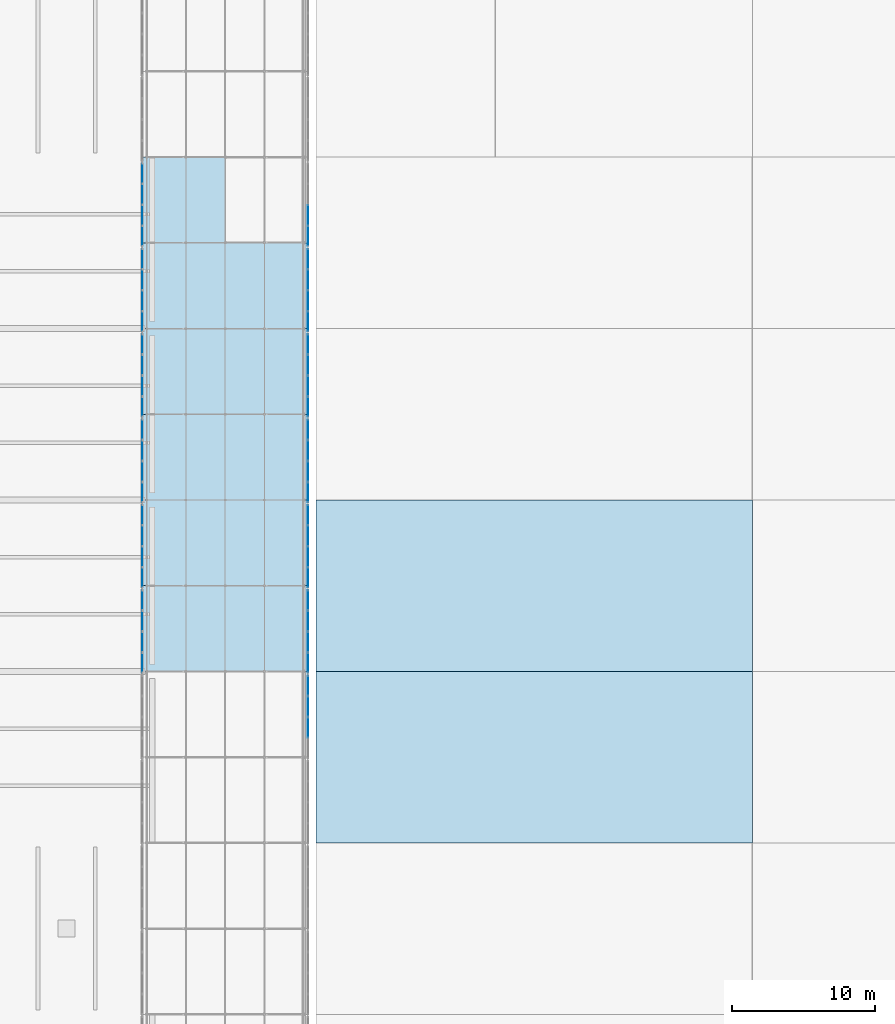
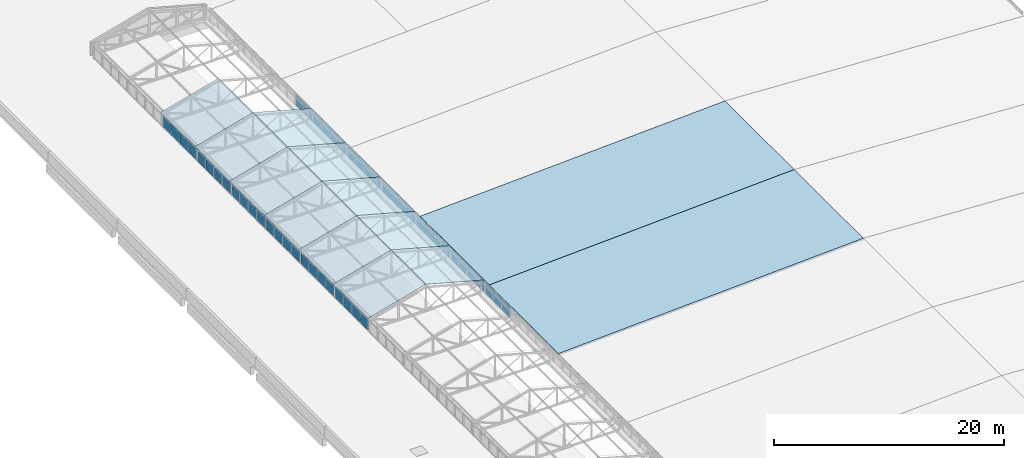
# One storey, part 83 of 94: 49 plates, 13 slabs, 13 elements without a shape of their own.
"""IFC4 building model written with IfcOpenShell, lengths in metres."""

from ifc_helpers import new_model, si_unit, direction, frame, origin, origin_2d, place, context, subcontext, project, spatial, polyline, rectangle, outline, extrude, material, layer, layer_set, type_object, element, aggregate, save


model = new_model("IFC4")

# Units and contexts
model_context = context("Model", 3, precision=1e-05, world=origin(), true_north=direction((0.0, 1.0)))
body_context = subcontext(model_context, "Body", "Model", "MODEL_VIEW")
ifc_project = project(units=[si_unit("LENGTHUNIT", "METRE"), si_unit("AREAUNIT", "SQUARE_METRE"), si_unit("VOLUMEUNIT", "CUBIC_METRE"), si_unit("PLANEANGLEUNIT", "RADIAN"), si_unit("MASSUNIT", "GRAM", prefix="KILO")], contexts=[model_context])

# Site, building, storey
site_placement = place(None, origin())
site = spatial("IfcSite", under=ifc_project, at=site_placement, CompositionType="ELEMENT")
building_placement = place(site_placement, origin())
building = spatial("IfcBuilding", under=site, at=building_placement, Name="Lilac Gate Convention Centre", CompositionType="ELEMENT")
storey_placement = place(building_placement, frame((0.0, 0.0, 21.0)))
storey = spatial("IfcBuildingStorey", under=building, at=storey_placement, Name="L04", CompositionType="ELEMENT", Elevation=21.0)

# Curtain wall, plates
ifc_material_1 = material(Name="Aluminium framed double glazing", Category="aluminium")
ifc_layer_1 = layer(ifc_material_1, 0.199951171875)
ifc_layer_set_1 = layer_set([ifc_layer_1], Name="Aluminium framed double glazing")
curtain_wall_type = type_object("IfcCurtainWallType", Name="Unitised curtain wall 1500", PredefinedType="NOTDEFINED", material=ifc_layer_set_1)
curtain_wall_1_placement = place(storey_placement, origin())
curtain_wall_1 = element("IfcCurtainWall", 1, at=curtain_wall_1_placement, inside=storey, type_object=curtain_wall_type, Name="Lantern clerestory W 25", PredefinedType="NOTDEFINED")
ifc_material_2 = material(Name="Double glazed unit low emissivity")
ifc_layer_2 = layer(ifc_material_2, 0.028076171875)
ifc_layer_set_2 = layer_set([ifc_layer_2], Name="Double glazed unit low emissivity")
plate_type = type_object("IfcPlateType", Name="Curtain wall glass panel 28", PredefinedType="CURTAIN_PANEL", material=ifc_layer_set_2)
plate_1_placement = place(storey_placement, frame((17.300048828125, 174.599365234375, 0.06005859375), z_axis=(0.0, 0.0, 1.0), x_axis=(0.0, 1.0, 0.0)))
plate_1 = element("IfcPlate", 2, at=plate_1_placement, type_object=plate_type, Name="CW panel 1.1", PredefinedType="CURTAIN_PANEL", context=body_context, shape_type="SweptSolid", body=[
    extrude(rectangle(XDim=1.378662109375, YDim=0.028076171875, at=origin_2d()), origin(), (0.0, 0.0, 1.0), 1.152099609375),
])
plate_2_placement = place(storey_placement, frame((17.300048828125, 176.05322265625, 0.06005859375), z_axis=(0.0, 0.0, 1.0), x_axis=(0.0, 1.0, 0.0)))
plate_2 = element("IfcPlate", 3, at=plate_2_placement, type_object=plate_type, Name="CW panel 2.1", PredefinedType="CURTAIN_PANEL", context=body_context, shape_type="SweptSolid", body=[
    extrude(rectangle(XDim=1.40869140625, YDim=0.028076171875, at=origin_2d()), origin(), (0.0, 0.0, 1.0), 1.152099609375),
])
plate_3_placement = place(storey_placement, frame((17.300048828125, 177.52197265625, 0.06005859375), z_axis=(0.0, 0.0, 1.0), x_axis=(0.0, 1.0, 0.0)))
plate_3 = element("IfcPlate", 4, at=plate_3_placement, type_object=plate_type, Name="CW panel 3.1", PredefinedType="CURTAIN_PANEL", context=body_context, shape_type="SweptSolid", body=[
    extrude(rectangle(XDim=1.40869140625, YDim=0.028076171875, at=origin_2d()), origin(), (0.0, 0.0, 1.0), 1.152099609375),
])
plate_4_placement = place(storey_placement, frame((17.300048828125, 178.975830078125, 0.06005859375), z_axis=(0.0, 0.0, 1.0), x_axis=(0.0, 1.0, 0.0)))
plate_4 = element("IfcPlate", 5, at=plate_4_placement, type_object=plate_type, Name="CW panel 4.1", PredefinedType="CURTAIN_PANEL", context=body_context, shape_type="SweptSolid", body=[
    extrude(rectangle(XDim=1.378662109375, YDim=0.028076171875, at=origin_2d()), origin(), (0.0, 0.0, 1.0), 1.152099609375),
])
aggregate(curtain_wall_1, [plate_1, plate_2, plate_3, plate_4])

curtain_wall_2_placement = place(storey_placement, origin())
curtain_wall_2 = element("IfcCurtainWall", 6, at=curtain_wall_2_placement, inside=storey, type_object=curtain_wall_type, Name="Lantern clerestory W 26", PredefinedType="NOTDEFINED")
plate_5_placement = place(storey_placement, frame((17.300048828125, 180.57421875, 0.06005859375), z_axis=(0.0, 0.0, 1.0), x_axis=(0.0, 1.0, 0.0)))
plate_5 = element("IfcPlate", 7, at=plate_5_placement, type_object=plate_type, Name="CW panel 1.1", PredefinedType="CURTAIN_PANEL", context=body_context, shape_type="SweptSolid", body=[
    extrude(rectangle(XDim=1.378662109375, YDim=0.028076171875, at=origin_2d()), origin(), (0.0, 0.0, 1.0), 1.152099609375),
])
plate_6_placement = place(storey_placement, frame((17.300048828125, 182.028076171875, 0.06005859375), z_axis=(0.0, 0.0, 1.0), x_axis=(0.0, 1.0, 0.0)))
plate_6 = element("IfcPlate", 8, at=plate_6_placement, type_object=plate_type, Name="CW panel 2.1", PredefinedType="CURTAIN_PANEL", context=body_context, shape_type="SweptSolid", body=[
    extrude(rectangle(XDim=1.40869140625, YDim=0.028076171875, at=origin_2d()), origin(), (0.0, 0.0, 1.0), 1.152099609375),
])
plate_7_placement = place(storey_placement, frame((17.300048828125, 183.496826171875, 0.06005859375), z_axis=(0.0, 0.0, 1.0), x_axis=(0.0, 1.0, 0.0)))
plate_7 = element("IfcPlate", 9, at=plate_7_placement, type_object=plate_type, Name="CW panel 3.1", PredefinedType="CURTAIN_PANEL", context=body_context, shape_type="SweptSolid", body=[
    extrude(rectangle(XDim=1.40869140625, YDim=0.028076171875, at=origin_2d()), origin(), (0.0, 0.0, 1.0), 1.152099609375),
])
plate_8_placement = place(storey_placement, frame((17.300048828125, 184.95068359375, 0.06005859375), z_axis=(0.0, 0.0, 1.0), x_axis=(0.0, 1.0, 0.0)))
plate_8 = element("IfcPlate", 10, at=plate_8_placement, type_object=plate_type, Name="CW panel 4.1", PredefinedType="CURTAIN_PANEL", context=body_context, shape_type="SweptSolid", body=[
    extrude(rectangle(XDim=1.378662109375, YDim=0.028076171875, at=origin_2d()), origin(), (0.0, 0.0, 1.0), 1.152099609375),
])
aggregate(curtain_wall_2, [plate_5, plate_6, plate_7, plate_8])

curtain_wall_3_placement = place(storey_placement, origin())
curtain_wall_3 = element("IfcCurtainWall", 11, at=curtain_wall_3_placement, inside=storey, type_object=curtain_wall_type, Name="Lantern clerestory W 27", PredefinedType="NOTDEFINED")
plate_9_placement = place(storey_placement, frame((17.300048828125, 186.54931640625, 0.06005859375), z_axis=(0.0, 0.0, 1.0), x_axis=(0.0, 1.0, 0.0)))
plate_9 = element("IfcPlate", 12, at=plate_9_placement, type_object=plate_type, Name="CW panel 1.1", PredefinedType="CURTAIN_PANEL", context=body_context, shape_type="SweptSolid", body=[
    extrude(rectangle(XDim=1.378662109375, YDim=0.028076171875, at=origin_2d()), origin(), (0.0, 0.0, 1.0), 1.152099609375),
])
plate_10_placement = place(storey_placement, frame((17.300048828125, 188.003173828125, 0.06005859375), z_axis=(0.0, 0.0, 1.0), x_axis=(0.0, 1.0, 0.0)))
plate_10 = element("IfcPlate", 13, at=plate_10_placement, type_object=plate_type, Name="CW panel 2.1", PredefinedType="CURTAIN_PANEL", context=body_context, shape_type="SweptSolid", body=[
    extrude(rectangle(XDim=1.40869140625, YDim=0.028076171875, at=origin_2d()), origin(), (0.0, 0.0, 1.0), 1.152099609375),
])
plate_11_placement = place(storey_placement, frame((17.300048828125, 189.471923828125, 0.06005859375), z_axis=(0.0, 0.0, 1.0), x_axis=(0.0, 1.0, 0.0)))
plate_11 = element("IfcPlate", 14, at=plate_11_placement, type_object=plate_type, Name="CW panel 3.1", PredefinedType="CURTAIN_PANEL", context=body_context, shape_type="SweptSolid", body=[
    extrude(rectangle(XDim=1.40869140625, YDim=0.028076171875, at=origin_2d()), origin(), (0.0, 0.0, 1.0), 1.152099609375),
])
plate_12_placement = place(storey_placement, frame((17.300048828125, 190.92578125, 0.06005859375), z_axis=(0.0, 0.0, 1.0), x_axis=(0.0, 1.0, 0.0)))
plate_12 = element("IfcPlate", 15, at=plate_12_placement, type_object=plate_type, Name="CW panel 4.1", PredefinedType="CURTAIN_PANEL", context=body_context, shape_type="SweptSolid", body=[
    extrude(rectangle(XDim=1.378662109375, YDim=0.028076171875, at=origin_2d()), origin(), (0.0, 0.0, 1.0), 1.152099609375),
])
aggregate(curtain_wall_3, [plate_9, plate_10, plate_11, plate_12])

curtain_wall_4_placement = place(storey_placement, origin())
curtain_wall_4 = element("IfcCurtainWall", 16, at=curtain_wall_4_placement, inside=storey, type_object=curtain_wall_type, Name="Lantern clerestory W 28", PredefinedType="NOTDEFINED")
plate_13_placement = place(storey_placement, frame((17.300048828125, 192.524169921875, 0.06005859375), z_axis=(0.0, 0.0, 1.0), x_axis=(0.0, 1.0, 0.0)))
plate_13 = element("IfcPlate", 17, at=plate_13_placement, type_object=plate_type, Name="CW panel 1.1", PredefinedType="CURTAIN_PANEL", context=body_context, shape_type="SweptSolid", body=[
    extrude(rectangle(XDim=1.378662109375, YDim=0.028076171875, at=origin_2d()), origin(), (0.0, 0.0, 1.0), 1.152099609375),
])
plate_14_placement = place(storey_placement, frame((17.300048828125, 193.97802734375, 0.06005859375), z_axis=(0.0, 0.0, 1.0), x_axis=(0.0, 1.0, 0.0)))
plate_14 = element("IfcPlate", 18, at=plate_14_placement, type_object=plate_type, Name="CW panel 2.1", PredefinedType="CURTAIN_PANEL", context=body_context, shape_type="SweptSolid", body=[
    extrude(rectangle(XDim=1.40869140625, YDim=0.028076171875, at=origin_2d()), origin(), (0.0, 0.0, 1.0), 1.152099609375),
])
plate_15_placement = place(storey_placement, frame((17.300048828125, 195.44677734375, 0.06005859375), z_axis=(0.0, 0.0, 1.0), x_axis=(0.0, 1.0, 0.0)))
plate_15 = element("IfcPlate", 19, at=plate_15_placement, type_object=plate_type, Name="CW panel 3.1", PredefinedType="CURTAIN_PANEL", context=body_context, shape_type="SweptSolid", body=[
    extrude(rectangle(XDim=1.40869140625, YDim=0.028076171875, at=origin_2d()), origin(), (0.0, 0.0, 1.0), 1.152099609375),
])
plate_16_placement = place(storey_placement, frame((17.300048828125, 196.900634765625, 0.06005859375), z_axis=(0.0, 0.0, 1.0), x_axis=(0.0, 1.0, 0.0)))
plate_16 = element("IfcPlate", 20, at=plate_16_placement, type_object=plate_type, Name="CW panel 4.1", PredefinedType="CURTAIN_PANEL", context=body_context, shape_type="SweptSolid", body=[
    extrude(rectangle(XDim=1.378662109375, YDim=0.028076171875, at=origin_2d()), origin(), (0.0, 0.0, 1.0), 1.152099609375),
])
aggregate(curtain_wall_4, [plate_13, plate_14, plate_15, plate_16])

curtain_wall_5_placement = place(storey_placement, origin())
curtain_wall_5 = element("IfcCurtainWall", 21, at=curtain_wall_5_placement, inside=storey, type_object=curtain_wall_type, Name="Lantern clerestory W 29", PredefinedType="NOTDEFINED")
plate_17_placement = place(storey_placement, frame((17.300048828125, 198.499267578125, 0.06005859375), z_axis=(0.0, 0.0, 1.0), x_axis=(0.0, 1.0, 0.0)))
plate_17 = element("IfcPlate", 22, at=plate_17_placement, type_object=plate_type, Name="CW panel 1.1", PredefinedType="CURTAIN_PANEL", context=body_context, shape_type="SweptSolid", body=[
    extrude(rectangle(XDim=1.378662109375, YDim=0.028076171875, at=origin_2d()), origin(), (0.0, 0.0, 1.0), 1.152099609375),
])
plate_18_placement = place(storey_placement, frame((17.300048828125, 199.953125, 0.06005859375), z_axis=(0.0, 0.0, 1.0), x_axis=(0.0, 1.0, 0.0)))
plate_18 = element("IfcPlate", 23, at=plate_18_placement, type_object=plate_type, Name="CW panel 2.1", PredefinedType="CURTAIN_PANEL", context=body_context, shape_type="SweptSolid", body=[
    extrude(rectangle(XDim=1.40869140625, YDim=0.028076171875, at=origin_2d()), origin(), (0.0, 0.0, 1.0), 1.152099609375),
])
plate_19_placement = place(storey_placement, frame((17.300048828125, 201.421875, 0.06005859375), z_axis=(0.0, 0.0, 1.0), x_axis=(0.0, 1.0, 0.0)))
plate_19 = element("IfcPlate", 24, at=plate_19_placement, type_object=plate_type, Name="CW panel 3.1", PredefinedType="CURTAIN_PANEL", context=body_context, shape_type="SweptSolid", body=[
    extrude(rectangle(XDim=1.40869140625, YDim=0.028076171875, at=origin_2d()), origin(), (0.0, 0.0, 1.0), 1.152099609375),
])
plate_20_placement = place(storey_placement, frame((17.300048828125, 202.875732421875, 0.06005859375), z_axis=(0.0, 0.0, 1.0), x_axis=(0.0, 1.0, 0.0)))
plate_20 = element("IfcPlate", 25, at=plate_20_placement, type_object=plate_type, Name="CW panel 4.1", PredefinedType="CURTAIN_PANEL", context=body_context, shape_type="SweptSolid", body=[
    extrude(rectangle(XDim=1.378662109375, YDim=0.028076171875, at=origin_2d()), origin(), (0.0, 0.0, 1.0), 1.152099609375),
])
aggregate(curtain_wall_5, [plate_17, plate_18, plate_19, plate_20])

curtain_wall_6_placement = place(storey_placement, origin())
curtain_wall_6 = element("IfcCurtainWall", 26, at=curtain_wall_6_placement, inside=storey, type_object=curtain_wall_type, Name="Lantern clerestory W 30", PredefinedType="NOTDEFINED")
plate_21_placement = place(storey_placement, frame((17.300048828125, 204.474365234375, 0.06005859375), z_axis=(0.0, 0.0, 1.0), x_axis=(0.0, 1.0, 0.0)))
plate_21 = element("IfcPlate", 27, at=plate_21_placement, type_object=plate_type, Name="CW panel 1.1", PredefinedType="CURTAIN_PANEL", context=body_context, shape_type="SweptSolid", body=[
    extrude(rectangle(XDim=1.378662109375, YDim=0.028076171875, at=origin_2d()), origin(), (0.0, 0.0, 1.0), 1.152099609375),
])
plate_22_placement = place(storey_placement, frame((17.300048828125, 205.92822265625, 0.06005859375), z_axis=(0.0, 0.0, 1.0), x_axis=(0.0, 1.0, 0.0)))
plate_22 = element("IfcPlate", 28, at=plate_22_placement, type_object=plate_type, Name="CW panel 2.1", PredefinedType="CURTAIN_PANEL", context=body_context, shape_type="SweptSolid", body=[
    extrude(rectangle(XDim=1.40869140625, YDim=0.028076171875, at=origin_2d()), origin(), (0.0, 0.0, 1.0), 1.152099609375),
])
plate_23_placement = place(storey_placement, frame((17.300048828125, 207.39697265625, 0.06005859375), z_axis=(0.0, 0.0, 1.0), x_axis=(0.0, 1.0, 0.0)))
plate_23 = element("IfcPlate", 29, at=plate_23_placement, type_object=plate_type, Name="CW panel 3.1", PredefinedType="CURTAIN_PANEL", context=body_context, shape_type="SweptSolid", body=[
    extrude(rectangle(XDim=1.40869140625, YDim=0.028076171875, at=origin_2d()), origin(), (0.0, 0.0, 1.0), 1.152099609375),
])
plate_24_placement = place(storey_placement, frame((17.300048828125, 208.850830078125, 0.06005859375), z_axis=(0.0, 0.0, 1.0), x_axis=(0.0, 1.0, 0.0)))
plate_24 = element("IfcPlate", 30, at=plate_24_placement, type_object=plate_type, Name="CW panel 4.1", PredefinedType="CURTAIN_PANEL", context=body_context, shape_type="SweptSolid", body=[
    extrude(rectangle(XDim=1.378662109375, YDim=0.028076171875, at=origin_2d()), origin(), (0.0, 0.0, 1.0), 1.152099609375),
])
aggregate(curtain_wall_6, [plate_21, plate_22, plate_23, plate_24])

curtain_wall_7_placement = place(storey_placement, origin())
curtain_wall_7 = element("IfcCurtainWall", 31, at=curtain_wall_7_placement, inside=storey, type_object=curtain_wall_type, Name="Lantern clerestory E 24", PredefinedType="NOTDEFINED")
plate_25_placement = place(storey_placement, frame((28.89990234375, 170.078125, 0.06005859375), z_axis=(0.0, 0.0, 1.0), x_axis=(0.0, 1.0, 0.0)))
plate_25 = element("IfcPlate", 32, at=plate_25_placement, type_object=plate_type, Name="CW panel 2.1", PredefinedType="CURTAIN_PANEL", context=body_context, shape_type="SweptSolid", body=[
    extrude(rectangle(XDim=1.40869140625, YDim=0.028076171875, at=origin_2d()), origin(), (0.0, 0.0, 1.0), 1.152099609375),
])
plate_26_placement = place(storey_placement, frame((28.89990234375, 171.546875, 0.06005859375), z_axis=(0.0, 0.0, 1.0), x_axis=(0.0, 1.0, 0.0)))
plate_26 = element("IfcPlate", 33, at=plate_26_placement, type_object=plate_type, Name="CW panel 3.1", PredefinedType="CURTAIN_PANEL", context=body_context, shape_type="SweptSolid", body=[
    extrude(rectangle(XDim=1.40869140625, YDim=0.028076171875, at=origin_2d()), origin(), (0.0, 0.0, 1.0), 1.152099609375),
])
plate_27_placement = place(storey_placement, frame((28.89990234375, 173.000732421875, 0.06005859375), z_axis=(0.0, 0.0, 1.0), x_axis=(0.0, 1.0, 0.0)))
plate_27 = element("IfcPlate", 34, at=plate_27_placement, type_object=plate_type, Name="CW panel 4.1", PredefinedType="CURTAIN_PANEL", context=body_context, shape_type="SweptSolid", body=[
    extrude(rectangle(XDim=1.378662109375, YDim=0.028076171875, at=origin_2d()), origin(), (0.0, 0.0, 1.0), 1.152099609375),
])
aggregate(curtain_wall_7, [plate_25, plate_26, plate_27])

curtain_wall_8_placement = place(storey_placement, origin())
curtain_wall_8 = element("IfcCurtainWall", 35, at=curtain_wall_8_placement, inside=storey, type_object=curtain_wall_type, Name="Lantern clerestory E 25", PredefinedType="NOTDEFINED")
plate_28_placement = place(storey_placement, frame((28.89990234375, 174.599365234375, 0.06005859375), z_axis=(0.0, 0.0, 1.0), x_axis=(0.0, 1.0, 0.0)))
plate_28 = element("IfcPlate", 36, at=plate_28_placement, type_object=plate_type, Name="CW panel 1.1", PredefinedType="CURTAIN_PANEL", context=body_context, shape_type="SweptSolid", body=[
    extrude(rectangle(XDim=1.378662109375, YDim=0.028076171875, at=origin_2d()), origin(), (0.0, 0.0, 1.0), 1.152099609375),
])
plate_29_placement = place(storey_placement, frame((28.89990234375, 176.05322265625, 0.06005859375), z_axis=(0.0, 0.0, 1.0), x_axis=(0.0, 1.0, 0.0)))
plate_29 = element("IfcPlate", 37, at=plate_29_placement, type_object=plate_type, Name="CW panel 2.1", PredefinedType="CURTAIN_PANEL", context=body_context, shape_type="SweptSolid", body=[
    extrude(rectangle(XDim=1.40869140625, YDim=0.028076171875, at=origin_2d()), origin(), (0.0, 0.0, 1.0), 1.152099609375),
])
plate_30_placement = place(storey_placement, frame((28.89990234375, 177.52197265625, 0.06005859375), z_axis=(0.0, 0.0, 1.0), x_axis=(0.0, 1.0, 0.0)))
plate_30 = element("IfcPlate", 38, at=plate_30_placement, type_object=plate_type, Name="CW panel 3.1", PredefinedType="CURTAIN_PANEL", context=body_context, shape_type="SweptSolid", body=[
    extrude(rectangle(XDim=1.40869140625, YDim=0.028076171875, at=origin_2d()), origin(), (0.0, 0.0, 1.0), 1.152099609375),
])
plate_31_placement = place(storey_placement, frame((28.89990234375, 178.975830078125, 0.06005859375), z_axis=(0.0, 0.0, 1.0), x_axis=(0.0, 1.0, 0.0)))
plate_31 = element("IfcPlate", 39, at=plate_31_placement, type_object=plate_type, Name="CW panel 4.1", PredefinedType="CURTAIN_PANEL", context=body_context, shape_type="SweptSolid", body=[
    extrude(rectangle(XDim=1.378662109375, YDim=0.028076171875, at=origin_2d()), origin(), (0.0, 0.0, 1.0), 1.152099609375),
])
aggregate(curtain_wall_8, [plate_28, plate_29, plate_30, plate_31])

curtain_wall_9_placement = place(storey_placement, origin())
curtain_wall_9 = element("IfcCurtainWall", 40, at=curtain_wall_9_placement, inside=storey, type_object=curtain_wall_type, Name="Lantern clerestory E 26", PredefinedType="NOTDEFINED")
plate_32_placement = place(storey_placement, frame((28.89990234375, 180.57421875, 0.06005859375), z_axis=(0.0, 0.0, 1.0), x_axis=(0.0, 1.0, 0.0)))
plate_32 = element("IfcPlate", 41, at=plate_32_placement, type_object=plate_type, Name="CW panel 1.1", PredefinedType="CURTAIN_PANEL", context=body_context, shape_type="SweptSolid", body=[
    extrude(rectangle(XDim=1.378662109375, YDim=0.028076171875, at=origin_2d()), origin(), (0.0, 0.0, 1.0), 1.152099609375),
])
plate_33_placement = place(storey_placement, frame((28.89990234375, 182.028076171875, 0.06005859375), z_axis=(0.0, 0.0, 1.0), x_axis=(0.0, 1.0, 0.0)))
plate_33 = element("IfcPlate", 42, at=plate_33_placement, type_object=plate_type, Name="CW panel 2.1", PredefinedType="CURTAIN_PANEL", context=body_context, shape_type="SweptSolid", body=[
    extrude(rectangle(XDim=1.40869140625, YDim=0.028076171875, at=origin_2d()), origin(), (0.0, 0.0, 1.0), 1.152099609375),
])
plate_34_placement = place(storey_placement, frame((28.89990234375, 183.496826171875, 0.06005859375), z_axis=(0.0, 0.0, 1.0), x_axis=(0.0, 1.0, 0.0)))
plate_34 = element("IfcPlate", 43, at=plate_34_placement, type_object=plate_type, Name="CW panel 3.1", PredefinedType="CURTAIN_PANEL", context=body_context, shape_type="SweptSolid", body=[
    extrude(rectangle(XDim=1.40869140625, YDim=0.028076171875, at=origin_2d()), origin(), (0.0, 0.0, 1.0), 1.152099609375),
])
plate_35_placement = place(storey_placement, frame((28.89990234375, 184.95068359375, 0.06005859375), z_axis=(0.0, 0.0, 1.0), x_axis=(0.0, 1.0, 0.0)))
plate_35 = element("IfcPlate", 44, at=plate_35_placement, type_object=plate_type, Name="CW panel 4.1", PredefinedType="CURTAIN_PANEL", context=body_context, shape_type="SweptSolid", body=[
    extrude(rectangle(XDim=1.378662109375, YDim=0.028076171875, at=origin_2d()), origin(), (0.0, 0.0, 1.0), 1.152099609375),
])
aggregate(curtain_wall_9, [plate_32, plate_33, plate_34, plate_35])

curtain_wall_10_placement = place(storey_placement, origin())
curtain_wall_10 = element("IfcCurtainWall", 45, at=curtain_wall_10_placement, inside=storey, type_object=curtain_wall_type, Name="Lantern clerestory E 27", PredefinedType="NOTDEFINED")
plate_36_placement = place(storey_placement, frame((28.89990234375, 186.54931640625, 0.06005859375), z_axis=(0.0, 0.0, 1.0), x_axis=(0.0, 1.0, 0.0)))
plate_36 = element("IfcPlate", 46, at=plate_36_placement, type_object=plate_type, Name="CW panel 1.1", PredefinedType="CURTAIN_PANEL", context=body_context, shape_type="SweptSolid", body=[
    extrude(rectangle(XDim=1.378662109375, YDim=0.028076171875, at=origin_2d()), origin(), (0.0, 0.0, 1.0), 1.152099609375),
])
plate_37_placement = place(storey_placement, frame((28.89990234375, 188.003173828125, 0.06005859375), z_axis=(0.0, 0.0, 1.0), x_axis=(0.0, 1.0, 0.0)))
plate_37 = element("IfcPlate", 47, at=plate_37_placement, type_object=plate_type, Name="CW panel 2.1", PredefinedType="CURTAIN_PANEL", context=body_context, shape_type="SweptSolid", body=[
    extrude(rectangle(XDim=1.40869140625, YDim=0.028076171875, at=origin_2d()), origin(), (0.0, 0.0, 1.0), 1.152099609375),
])
plate_38_placement = place(storey_placement, frame((28.89990234375, 189.471923828125, 0.06005859375), z_axis=(0.0, 0.0, 1.0), x_axis=(0.0, 1.0, 0.0)))
plate_38 = element("IfcPlate", 48, at=plate_38_placement, type_object=plate_type, Name="CW panel 3.1", PredefinedType="CURTAIN_PANEL", context=body_context, shape_type="SweptSolid", body=[
    extrude(rectangle(XDim=1.40869140625, YDim=0.028076171875, at=origin_2d()), origin(), (0.0, 0.0, 1.0), 1.152099609375),
])
plate_39_placement = place(storey_placement, frame((28.89990234375, 190.92578125, 0.06005859375), z_axis=(0.0, 0.0, 1.0), x_axis=(0.0, 1.0, 0.0)))
plate_39 = element("IfcPlate", 49, at=plate_39_placement, type_object=plate_type, Name="CW panel 4.1", PredefinedType="CURTAIN_PANEL", context=body_context, shape_type="SweptSolid", body=[
    extrude(rectangle(XDim=1.378662109375, YDim=0.028076171875, at=origin_2d()), origin(), (0.0, 0.0, 1.0), 1.152099609375),
])
aggregate(curtain_wall_10, [plate_36, plate_37, plate_38, plate_39])

curtain_wall_11_placement = place(storey_placement, origin())
curtain_wall_11 = element("IfcCurtainWall", 50, at=curtain_wall_11_placement, inside=storey, type_object=curtain_wall_type, Name="Lantern clerestory E 28", PredefinedType="NOTDEFINED")
plate_40_placement = place(storey_placement, frame((28.89990234375, 192.524169921875, 0.06005859375), z_axis=(0.0, 0.0, 1.0), x_axis=(0.0, 1.0, 0.0)))
plate_40 = element("IfcPlate", 51, at=plate_40_placement, type_object=plate_type, Name="CW panel 1.1", PredefinedType="CURTAIN_PANEL", context=body_context, shape_type="SweptSolid", body=[
    extrude(rectangle(XDim=1.378662109375, YDim=0.028076171875, at=origin_2d()), origin(), (0.0, 0.0, 1.0), 1.152099609375),
])
plate_41_placement = place(storey_placement, frame((28.89990234375, 193.97802734375, 0.06005859375), z_axis=(0.0, 0.0, 1.0), x_axis=(0.0, 1.0, 0.0)))
plate_41 = element("IfcPlate", 52, at=plate_41_placement, type_object=plate_type, Name="CW panel 2.1", PredefinedType="CURTAIN_PANEL", context=body_context, shape_type="SweptSolid", body=[
    extrude(rectangle(XDim=1.40869140625, YDim=0.028076171875, at=origin_2d()), origin(), (0.0, 0.0, 1.0), 1.152099609375),
])
plate_42_placement = place(storey_placement, frame((28.89990234375, 195.44677734375, 0.06005859375), z_axis=(0.0, 0.0, 1.0), x_axis=(0.0, 1.0, 0.0)))
plate_42 = element("IfcPlate", 53, at=plate_42_placement, type_object=plate_type, Name="CW panel 3.1", PredefinedType="CURTAIN_PANEL", context=body_context, shape_type="SweptSolid", body=[
    extrude(rectangle(XDim=1.40869140625, YDim=0.028076171875, at=origin_2d()), origin(), (0.0, 0.0, 1.0), 1.152099609375),
])
plate_43_placement = place(storey_placement, frame((28.89990234375, 196.900634765625, 0.06005859375), z_axis=(0.0, 0.0, 1.0), x_axis=(0.0, 1.0, 0.0)))
plate_43 = element("IfcPlate", 54, at=plate_43_placement, type_object=plate_type, Name="CW panel 4.1", PredefinedType="CURTAIN_PANEL", context=body_context, shape_type="SweptSolid", body=[
    extrude(rectangle(XDim=1.378662109375, YDim=0.028076171875, at=origin_2d()), origin(), (0.0, 0.0, 1.0), 1.152099609375),
])
aggregate(curtain_wall_11, [plate_40, plate_41, plate_42, plate_43])

curtain_wall_12_placement = place(storey_placement, origin())
curtain_wall_12 = element("IfcCurtainWall", 55, at=curtain_wall_12_placement, inside=storey, type_object=curtain_wall_type, Name="Lantern clerestory E 29", PredefinedType="NOTDEFINED")
plate_44_placement = place(storey_placement, frame((28.89990234375, 198.499267578125, 0.06005859375), z_axis=(0.0, 0.0, 1.0), x_axis=(0.0, 1.0, 0.0)))
plate_44 = element("IfcPlate", 56, at=plate_44_placement, type_object=plate_type, Name="CW panel 1.1", PredefinedType="CURTAIN_PANEL", context=body_context, shape_type="SweptSolid", body=[
    extrude(rectangle(XDim=1.378662109375, YDim=0.028076171875, at=origin_2d()), origin(), (0.0, 0.0, 1.0), 1.152099609375),
])
plate_45_placement = place(storey_placement, frame((28.89990234375, 199.953125, 0.06005859375), z_axis=(0.0, 0.0, 1.0), x_axis=(0.0, 1.0, 0.0)))
plate_45 = element("IfcPlate", 57, at=plate_45_placement, type_object=plate_type, Name="CW panel 2.1", PredefinedType="CURTAIN_PANEL", context=body_context, shape_type="SweptSolid", body=[
    extrude(rectangle(XDim=1.40869140625, YDim=0.028076171875, at=origin_2d()), origin(), (0.0, 0.0, 1.0), 1.152099609375),
])
plate_46_placement = place(storey_placement, frame((28.89990234375, 201.421875, 0.06005859375), z_axis=(0.0, 0.0, 1.0), x_axis=(0.0, 1.0, 0.0)))
plate_46 = element("IfcPlate", 58, at=plate_46_placement, type_object=plate_type, Name="CW panel 3.1", PredefinedType="CURTAIN_PANEL", context=body_context, shape_type="SweptSolid", body=[
    extrude(rectangle(XDim=1.40869140625, YDim=0.028076171875, at=origin_2d()), origin(), (0.0, 0.0, 1.0), 1.152099609375),
])
plate_47_placement = place(storey_placement, frame((28.89990234375, 202.875732421875, 0.06005859375), z_axis=(0.0, 0.0, 1.0), x_axis=(0.0, 1.0, 0.0)))
plate_47 = element("IfcPlate", 59, at=plate_47_placement, type_object=plate_type, Name="CW panel 4.1", PredefinedType="CURTAIN_PANEL", context=body_context, shape_type="SweptSolid", body=[
    extrude(rectangle(XDim=1.378662109375, YDim=0.028076171875, at=origin_2d()), origin(), (0.0, 0.0, 1.0), 1.152099609375),
])
aggregate(curtain_wall_12, [plate_44, plate_45, plate_46, plate_47])

curtain_wall_13_placement = place(storey_placement, origin())
curtain_wall_13 = element("IfcCurtainWall", 60, at=curtain_wall_13_placement, inside=storey, type_object=curtain_wall_type, Name="Lantern clerestory E 30", PredefinedType="NOTDEFINED")
plate_48_placement = place(storey_placement, frame((28.89990234375, 204.474365234375, 0.06005859375), z_axis=(0.0, 0.0, 1.0), x_axis=(0.0, 1.0, 0.0)))
plate_48 = element("IfcPlate", 61, at=plate_48_placement, type_object=plate_type, Name="CW panel 1.1", PredefinedType="CURTAIN_PANEL", context=body_context, shape_type="SweptSolid", body=[
    extrude(rectangle(XDim=1.378662109375, YDim=0.028076171875, at=origin_2d()), origin(), (0.0, 0.0, 1.0), 1.152099609375),
])
plate_49_placement = place(storey_placement, frame((28.89990234375, 205.92822265625, 0.06005859375), z_axis=(0.0, 0.0, 1.0), x_axis=(0.0, 1.0, 0.0)))
plate_49 = element("IfcPlate", 62, at=plate_49_placement, type_object=plate_type, Name="CW panel 2.1", PredefinedType="CURTAIN_PANEL", context=body_context, shape_type="SweptSolid", body=[
    extrude(rectangle(XDim=1.40869140625, YDim=0.028076171875, at=origin_2d()), origin(), (0.0, 0.0, 1.0), 1.152099609375),
])
aggregate(curtain_wall_13, [plate_48, plate_49])

# Slabs
ifc_material_3 = material(Name="Low emissivity safety glass, bonded interlayer", Category="glass")
ifc_layer_3 = layer(ifc_material_3, 0.0400390625)
ifc_layer_set_3 = layer_set([ifc_layer_3], Name="Low emissivity safety glass, bonded interlayer")
slab_type_1 = type_object("IfcSlabType", Name="Lantern glazing panel 40", PredefinedType="ROOF", material=ifc_layer_set_3)
slab_1_placement = place(storey_placement, frame((17.300048828125, 174.0, 1.313720703125), z_axis=(-0.263110533367, 0.0, 0.964765695509), x_axis=(0.964765695509, 0.0, 0.263110533367)))
element("IfcSlab", 63, at=slab_1_placement, inside=storey, type_object=slab_type_1, Name="Lantern glazing W 25", PredefinedType="ROOF", context=body_context, shape_type="SweptSolid", body=[
    extrude(outline(polyline([(0.0, 0.0), (6.011872991673984, 0.0), (6.011872991673984, 5.999999999999999), (0.0, 5.999999999999999), (0.0, 0.0)])), origin(), (0.0, 0.0, -1.0), 0.0400390625),
])
slab_2_placement = place(storey_placement, frame((23.10009765625, 174.0, 2.8955078125), z_axis=(0.263120842134, 0.0, 0.964762884047), x_axis=(0.964762884047, 0.0, -0.263120842134)))
element("IfcSlab", 64, at=slab_2_placement, inside=storey, type_object=slab_type_1, Name="Lantern glazing E 25", PredefinedType="ROOF", context=body_context, shape_type="SweptSolid", body=[
    extrude(outline(polyline([(0.0, 0.0), (6.011637453517294, 0.0), (6.011637453517294, 6.0), (0.0, 6.0), (0.0, 0.0)])), origin(), (0.0, 0.0, -1.0), 0.0400390625),
])
slab_3_placement = place(storey_placement, frame((17.300048828125, 180.0, 1.313720703125), z_axis=(-0.263110533367, 0.0, 0.964765695509), x_axis=(0.964765695509, 0.0, 0.263110533367)))
element("IfcSlab", 65, at=slab_3_placement, inside=storey, type_object=slab_type_1, Name="Lantern glazing W 26", PredefinedType="ROOF", context=body_context, shape_type="SweptSolid", body=[
    extrude(outline(polyline([(0.0, 0.0), (6.011872991673984, 0.0), (6.011872991673984, 5.999999999999999), (0.0, 5.999999999999999), (0.0, 0.0)])), origin(), (0.0, 0.0, -1.0), 0.0400390625),
])
slab_4_placement = place(storey_placement, frame((23.10009765625, 180.0, 2.8955078125), z_axis=(0.263120842134, 0.0, 0.964762884047), x_axis=(0.964762884047, 0.0, -0.263120842134)))
element("IfcSlab", 66, at=slab_4_placement, inside=storey, type_object=slab_type_1, Name="Lantern glazing E 26", PredefinedType="ROOF", context=body_context, shape_type="SweptSolid", body=[
    extrude(outline(polyline([(0.0, 0.0), (6.011637453517294, 0.0), (6.011637453517294, 6.0), (0.0, 6.0), (0.0, 0.0)])), origin(), (0.0, 0.0, -1.0), 0.0400390625),
])
slab_5_placement = place(storey_placement, frame((17.300048828125, 186.0, 1.313720703125), z_axis=(-0.263110533367, 0.0, 0.964765695509), x_axis=(0.964765695509, 0.0, 0.263110533367)))
element("IfcSlab", 67, at=slab_5_placement, inside=storey, type_object=slab_type_1, Name="Lantern glazing W 27", PredefinedType="ROOF", context=body_context, shape_type="SweptSolid", body=[
    extrude(outline(polyline([(0.0, 0.0), (6.011872991673984, 0.0), (6.011872991673984, 5.999999999999999), (0.0, 5.999999999999999), (0.0, 0.0)])), origin(), (0.0, 0.0, -1.0), 0.0400390625),
])
slab_6_placement = place(storey_placement, frame((23.10009765625, 186.0, 2.8955078125), z_axis=(0.263120842134, 0.0, 0.964762884047), x_axis=(0.964762884047, 0.0, -0.263120842134)))
element("IfcSlab", 68, at=slab_6_placement, inside=storey, type_object=slab_type_1, Name="Lantern glazing E 27", PredefinedType="ROOF", context=body_context, shape_type="SweptSolid", body=[
    extrude(outline(polyline([(0.0, 0.0), (6.011637453517294, 0.0), (6.011637453517294, 6.0), (0.0, 6.0), (0.0, 0.0)])), origin(), (0.0, 0.0, -1.0), 0.0400390625),
])
slab_7_placement = place(storey_placement, frame((17.300048828125, 192.0, 1.313720703125), z_axis=(-0.263110533367, 0.0, 0.964765695509), x_axis=(0.964765695509, 0.0, 0.263110533367)))
element("IfcSlab", 69, at=slab_7_placement, inside=storey, type_object=slab_type_1, Name="Lantern glazing W 28", PredefinedType="ROOF", context=body_context, shape_type="SweptSolid", body=[
    extrude(outline(polyline([(0.0, 0.0), (6.011872991673984, 0.0), (6.011872991673984, 5.999999999999999), (0.0, 5.999999999999999), (0.0, 0.0)])), origin(), (0.0, 0.0, -1.0), 0.0400390625),
])
slab_8_placement = place(storey_placement, frame((23.10009765625, 192.0, 2.8955078125), z_axis=(0.263120842134, 0.0, 0.964762884047), x_axis=(0.964762884047, 0.0, -0.263120842134)))
element("IfcSlab", 70, at=slab_8_placement, inside=storey, type_object=slab_type_1, Name="Lantern glazing E 28", PredefinedType="ROOF", context=body_context, shape_type="SweptSolid", body=[
    extrude(outline(polyline([(0.0, 0.0), (6.011637453517294, 0.0), (6.011637453517294, 6.0), (0.0, 6.0), (0.0, 0.0)])), origin(), (0.0, 0.0, -1.0), 0.0400390625),
])
slab_9_placement = place(storey_placement, frame((17.300048828125, 198.0, 1.313720703125), z_axis=(-0.263110533367, 0.0, 0.964765695509), x_axis=(0.964765695509, 0.0, 0.263110533367)))
element("IfcSlab", 71, at=slab_9_placement, inside=storey, type_object=slab_type_1, Name="Lantern glazing W 29", PredefinedType="ROOF", context=body_context, shape_type="SweptSolid", body=[
    extrude(outline(polyline([(0.0, 0.0), (6.011872991673984, 0.0), (6.011872991673984, 5.999999999999999), (0.0, 5.999999999999999), (0.0, 0.0)])), origin(), (0.0, 0.0, -1.0), 0.0400390625),
])
slab_10_placement = place(storey_placement, frame((23.10009765625, 198.0, 2.8955078125), z_axis=(0.263120842134, 0.0, 0.964762884047), x_axis=(0.964762884047, 0.0, -0.263120842134)))
element("IfcSlab", 72, at=slab_10_placement, inside=storey, type_object=slab_type_1, Name="Lantern glazing E 29", PredefinedType="ROOF", context=body_context, shape_type="SweptSolid", body=[
    extrude(outline(polyline([(0.0, 0.0), (6.011637453517294, 0.0), (6.011637453517294, 6.0), (0.0, 6.0), (0.0, 0.0)])), origin(), (0.0, 0.0, -1.0), 0.0400390625),
])
slab_11_placement = place(storey_placement, frame((17.300048828125, 204.0, 1.313720703125), z_axis=(-0.263110533367, 0.0, 0.964765695509), x_axis=(0.964765695509, 0.0, 0.263110533367)))
element("IfcSlab", 73, at=slab_11_placement, inside=storey, type_object=slab_type_1, Name="Lantern glazing W 30", PredefinedType="ROOF", context=body_context, shape_type="SweptSolid", body=[
    extrude(outline(polyline([(0.0, 0.0), (6.011872991673984, 0.0), (6.011872991673984, 5.999999999999999), (0.0, 5.999999999999999), (0.0, 0.0)])), origin(), (0.0, 0.0, -1.0), 0.0400390625),
])
ifc_material_4 = material(Name="Galvanised steel liner sheet", Category="steel")
ifc_layer_4 = layer(ifc_material_4, 0.001953125)
ifc_material_5 = material(Name="Mineral wool insulation")
ifc_layer_5 = layer(ifc_material_5, 0.196044921875)
ifc_material_6 = material(Name="Teal coated steel sheet", Category="steel")
ifc_layer_6 = layer(ifc_material_6, 0.001953125)
ifc_layer_set_4 = layer_set([ifc_layer_4, ifc_layer_5, ifc_layer_6], Name="Galvanised steel liner sheet, Mineral wool insulation, Teal coated steel sheet")
slab_type_2 = type_object("IfcSlabType", Name="Roof cover panel teal 200", PredefinedType="ROOF", material=ifc_layer_set_4)
for number, where, z_axis, x_axis, name in (
    (74, (29.449951171875, 162.0, 0.597900390625), (-0.049940403511, 0.0, 0.998752199546), (0.998752199546, 0.0, 0.049940403511), "Hall roof panel 12.1"),
    (75, (29.449951171875, 174.0, 0.597900390625), (-0.049940403511, 0.0, 0.998752199546), (0.998752199546, 0.0, 0.049940403511), "Hall roof panel 13.1"),
):
    element("IfcSlab", number, at=place(storey_placement, frame(where, z_axis=z_axis, x_axis=x_axis)), inside=storey, type_object=slab_type_2, Name=name, PredefinedType="ROOF", context=body_context, shape_type="SweptSolid", body=[
        extrude(outline(polyline([(0.0, 0.0), (30.588216818971414, 0.0), (30.588216818971414, 11.999999999999998), (0.0, 11.999999999999998), (0.0, 0.0)])), origin(), (0.0, 0.0, -1.0), 0.199951171875),
    ])

save(model, "model.ifc")
